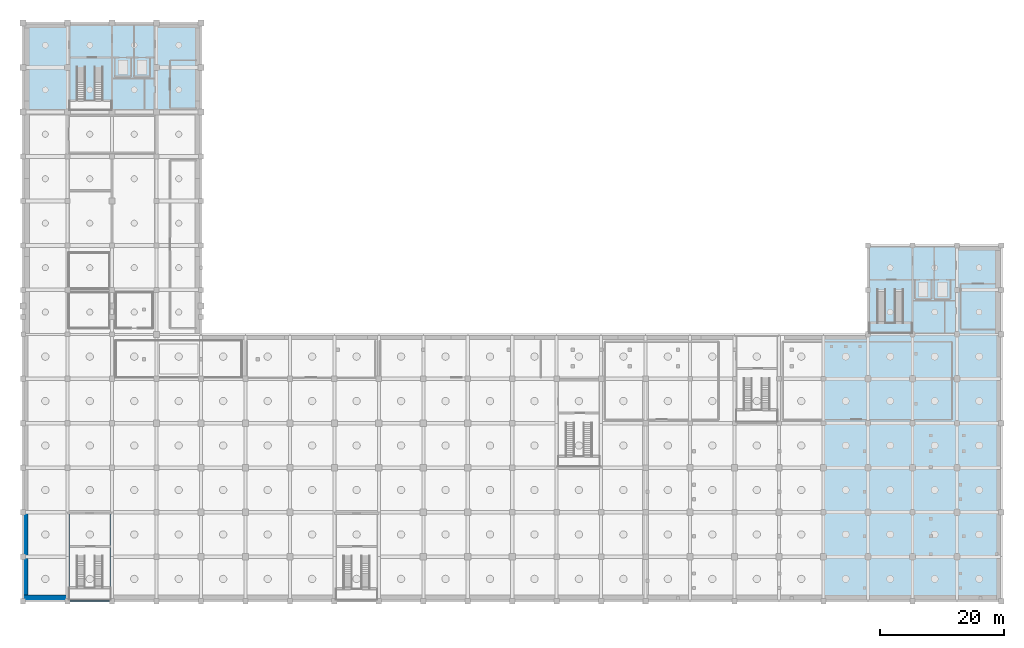
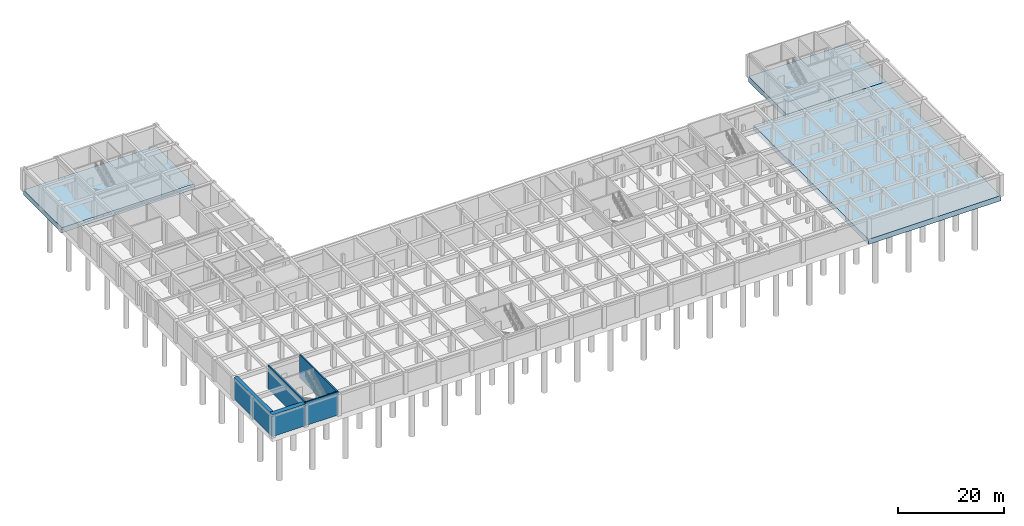
# One storey, part 6 of 15: 5 walls, 4 slabs, 1 element without a shape of its own.
"""IFC4 building model written with IfcOpenShell, lengths in metres."""

from ifc_helpers import new_model, si_unit, direction, frame, frame_2d, origin, place, context, subcontext, project, spatial, polyline, rectangle, outline, extrude, material, layer, layer_set, type_object, element, aggregate, save


model = new_model("IFC4")

# Units and contexts
model_context = context("Model", 3, precision=1e-05, world=origin(), true_north=direction((0.0, 1.0)))
body_context = subcontext(model_context, "Body", "Model", "MODEL_VIEW")
ifc_project = project(units=[si_unit("LENGTHUNIT", "METRE"), si_unit("AREAUNIT", "SQUARE_METRE"), si_unit("VOLUMEUNIT", "CUBIC_METRE"), si_unit("PLANEANGLEUNIT", "RADIAN"), si_unit("MASSUNIT", "GRAM", prefix="KILO")], contexts=[model_context])

# Site, building, storey
site_placement = place(None, origin())
site = spatial("IfcSite", under=ifc_project, at=site_placement, CompositionType="ELEMENT")
building_placement = place(site_placement, origin())
building = spatial("IfcBuilding", under=site, at=building_placement, Name="Leyfeld Transit Interchange", CompositionType="ELEMENT")
storey_placement = place(building_placement, frame((0.0, 0.0, -10.800048828125)))
storey = spatial("IfcBuildingStorey", under=building, at=storey_placement, Name="B02", CompositionType="ELEMENT", Elevation=-10.800048828125)

# Stair, slab
ifc_material_1 = material(Name="Precast concrete C40/50", Category="concrete")
stair_type = type_object("IfcStairType", Name="STR-HT-150x320", PredefinedType="HALF_TURN_STAIR", material=ifc_material_1)
stair_placement = place(storey_placement, origin())
stair = element("IfcStair", 1, at=stair_placement, inside=storey, type_object=stair_type, Name="Exit Stair ST-04 (B02 to B01)", PredefinedType="HALF_TURN_STAIR")
ifc_layer_1 = layer(ifc_material_1, 0.199951171875, Name="Precast concrete C40/50")
ifc_layer_set_1 = layer_set([ifc_layer_1], Name="Precast concrete C40/50")
slab_type_1 = type_object("IfcSlabType", Name="SLB-LND-200", PredefinedType="LANDING", material=ifc_layer_set_1)
slab_1_placement = place(storey_placement, frame((0.0, 0.0, 2.5)))
slab_1 = element("IfcSlab", 2, at=slab_1_placement, type_object=slab_type_1, Name="Stair ST-04 B02 Half Landing", PredefinedType="LANDING", context=body_context, shape_type="SweptSolid", body=[
    extrude(outline(polyline([(136.955078125, 57.7548828125), (143.9951171875, 57.7548828125), (143.9951171875, 59.4599609375), (136.955078125, 59.4599609375), (136.955078125, 57.7548828125)])), origin(), (0.0, 0.0, 1.0), 0.199951171875),
])
aggregate(stair, [slab_1])

# Slabs
ifc_material_2 = material(Name="Concrete C35/45", Category="concrete")
ifc_layer_2 = layer(ifc_material_2, 1.199951171875, Name="Concrete C35/45")
ifc_layer_set_2 = layer_set([ifc_layer_2], Name="Concrete C35/45")
slab_type_2 = type_object("IfcSlabType", Name="SLB-RAFT-1200", PredefinedType="BASESLAB", material=ifc_layer_set_2)
slab_2_placement = place(storey_placement, frame((0.0, 0.0, -1.199951171875)))
element("IfcSlab", 3, at=slab_2_placement, inside=storey, type_object=slab_type_2, Name="Slab M_MAIN B02 B4", PredefinedType="BASESLAB", context=body_context, shape_type="SweptSolid", body=[
    extrude(outline(polyline([(129.60009765625, 57.60009765625), (129.60009765625, 14.39990234375), (158.39990234375, 14.39990234375), (158.39990234375, 57.60009765625), (129.60009765625, 57.60009765625)])), origin(), (0.0, 0.0, 1.0), 1.199951171875),
])
slab_3_placement = place(storey_placement, frame((0.0, 0.0, -1.199951171875)))
element("IfcSlab", 4, at=slab_3_placement, inside=storey, type_object=slab_type_2, Name="Slab M_WEST B02 B1", PredefinedType="BASESLAB", context=body_context, shape_type="SweptSolid", body=[
    extrude(outline(polyline([(0.0, 93.625), (28.800048828125, 93.625), (28.800048828125, 108.0), (0.0, 108.0), (0.0, 93.625)])), origin(), (0.0, 0.0, 1.0), 1.199951171875),
])
slab_4_placement = place(storey_placement, frame((0.0, 0.0, -1.199951171875)))
element("IfcSlab", 5, at=slab_4_placement, inside=storey, type_object=slab_type_2, Name="Slab M_EAST B02 B1", PredefinedType="BASESLAB", context=body_context, shape_type="SweptSolid", body=[
    extrude(outline(polyline([(158.39990234375, 72.0), (136.800048828125, 72.0), (136.800048828125, 57.60009765625), (158.39990234375, 57.60009765625), (158.39990234375, 72.0)])), origin(), (0.0, 0.0, 1.0), 1.199951171875),
])

# Walls
ifc_layer_3 = layer(ifc_material_2, 1.0, Name="Concrete C35/45")
ifc_layer_set_3 = layer_set([ifc_layer_3], Name="Concrete C35/45")
wall_type_1 = type_object("IfcWallType", Name="WL-DW-1000", PredefinedType="USERDEFINED", material=ifc_layer_set_3)
wall_1_placement = place(storey_placement, frame((7.14990234375, 14.89990234375, 0.0), z_axis=(0.0, 0.0, 1.0), x_axis=(-1.0, 0.0, 0.0)))
element("IfcWall", 6, at=wall_1_placement, inside=storey, type_object=wall_type_1, Name="Metro Diaphragm Wall DW-B02-S01-P11", ObjectType="RETAININGWALL", PredefinedType="USERDEFINED", context=body_context, shape_type="SweptSolid", body=[
    extrude(rectangle(XDim=7.14990234375, YDim=1.0, at=frame_2d((3.574951171875, 0.0))), origin(), (0.0, 0.0, 1.0), 5.0),
])
ifc_layer_4 = layer(ifc_material_2, 0.800048828125, Name="Concrete C35/45")
ifc_layer_set_4 = layer_set([ifc_layer_4], Name="Concrete C35/45")
wall_type_2 = type_object("IfcWallType", Name="WL-DW-800", PredefinedType="USERDEFINED", material=ifc_layer_set_4)
wall_2_placement = place(storey_placement, frame((0.39990234375, 14.39990234375, 0.0), z_axis=(0.0, 0.0, 1.0), x_axis=(0.0, 1.0, 0.0)))
element("IfcWall", 7, at=wall_2_placement, inside=storey, type_object=wall_type_2, Name="Metro Diaphragm Wall DW-B02-S02-P01", ObjectType="RETAININGWALL", PredefinedType="USERDEFINED", context=body_context, shape_type="SweptSolid", body=[
    extrude(rectangle(XDim=14.400146484375, YDim=0.800048828125, at=frame_2d((7.2001953125, 0.0))), origin(), (0.0, 0.0, 1.0), 5.0),
])
ifc_layer_5 = layer(ifc_material_2, 0.280029296875, Name="Concrete C35/45")
ifc_layer_set_5 = layer_set([ifc_layer_5], Name="Concrete C35/45")
wall_type_3 = type_object("IfcWallType", Name="WL-SH-VAR-280", PredefinedType="SHEAR", material=ifc_layer_set_5)
wall_3_placement = place(storey_placement, frame((14.260009765625, 28.52001953125, 0.0), z_axis=(0.0, 0.0, 1.0), x_axis=(0.0, -1.0, 0.0)))
element("IfcWall", 8, at=wall_3_placement, inside=storey, type_object=wall_type_3, Name="Core K6 Shear Wall E B02", PredefinedType="SHEAR", context=body_context, shape_type="SweptSolid", body=[
    extrude(rectangle(XDim=13.840087890625, YDim=0.280029296875, at=frame_2d((6.919921875, 0.0))), origin(), (0.0, 0.0, 1.0), 5.400146484375),
])
wall_4_placement = place(storey_placement, frame((14.39990234375, 14.5400390625, 0.0), z_axis=(0.0, 0.0, 1.0), x_axis=(-1.0, 0.0, 0.0)))
element("IfcWall", 9, at=wall_4_placement, inside=storey, type_object=wall_type_3, Name="Core K6 Shear Wall S B02", PredefinedType="SHEAR", context=body_context, shape_type="SweptSolid", body=[
    extrude(rectangle(XDim=7.199951171875, YDim=0.280029296875, at=frame_2d((3.60009765625, 0.0))), origin(), (0.0, 0.0, 1.0), 5.400146484375),
])
wall_5_placement = place(storey_placement, frame((7.340087890625, 14.679931640625, 0.0), z_axis=(0.0, 0.0, 1.0), x_axis=(0.0, 1.0, 0.0)))
element("IfcWall", 10, at=wall_5_placement, inside=storey, type_object=wall_type_3, Name="Core K6 Shear Wall W B02", PredefinedType="SHEAR", context=body_context, shape_type="SweptSolid", body=[
    extrude(rectangle(XDim=13.840087890625, YDim=0.280029296875, at=frame_2d((6.919921875, 0.0))), origin(), (0.0, 0.0, 1.0), 5.400146484375),
])

save(model, "model.ifc")
